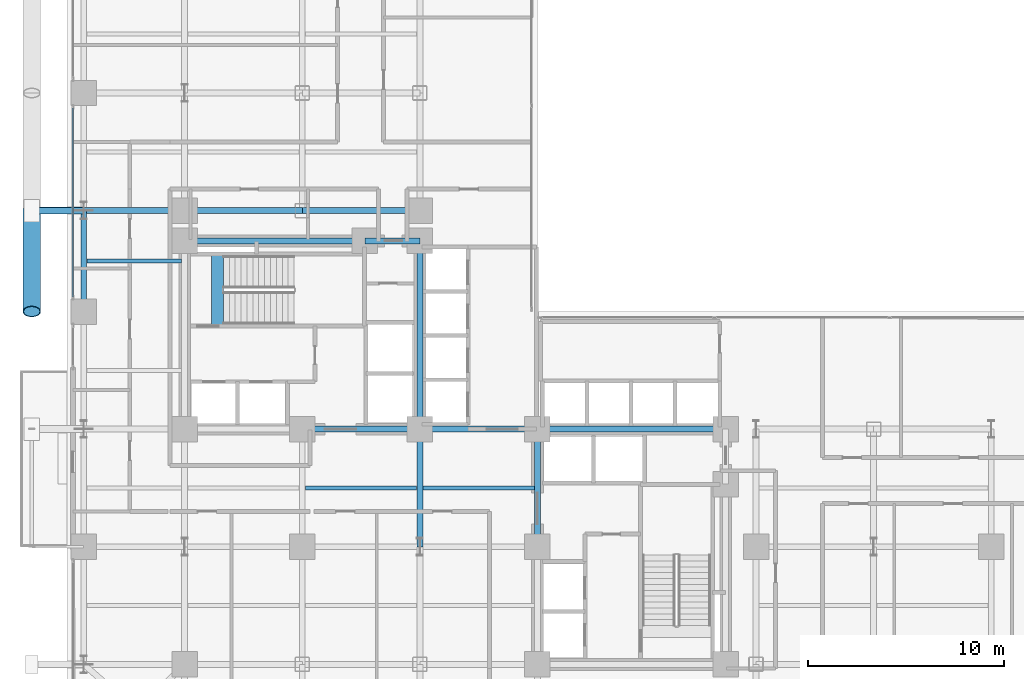
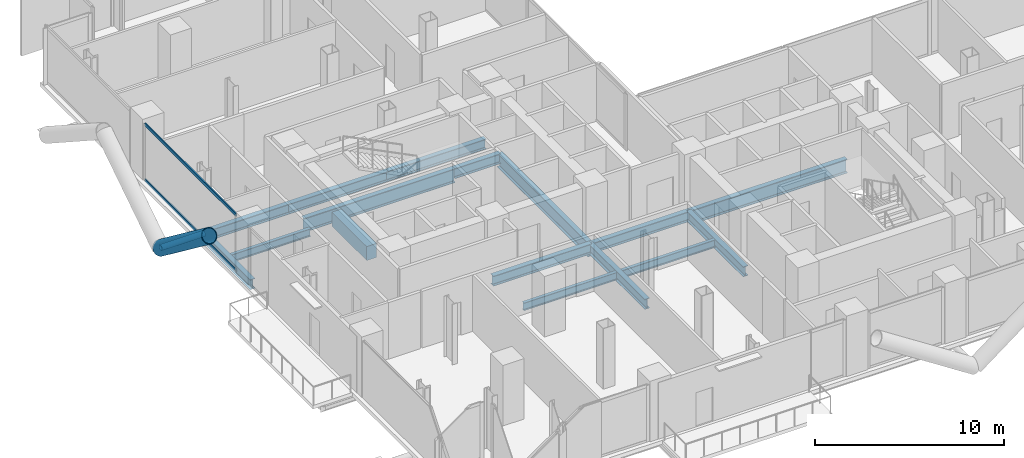
# One storey, part 6 of 25: 16 beams, 4 members, 1 element without a shape of its own.
"""IFC4 building model written with IfcOpenShell, lengths in metres."""

from ifc_helpers import new_model, si_unit, direction, frame, origin, origin_2d, place, context, subcontext, project, spatial, rectangle, hollow_rectangle, hollow_circle, i_section, extrude, material, layer, layer_set, material_profile, profile_set, type_object, element, aggregate, save


model = new_model("IFC4")

# Units and contexts
model_context = context("Model", 3, precision=1e-05, world=origin(), true_north=direction((0.0, 1.0)))
body_context = subcontext(model_context, "Body", "Model", "MODEL_VIEW")
ifc_project = project(units=[si_unit("LENGTHUNIT", "METRE"), si_unit("AREAUNIT", "SQUARE_METRE"), si_unit("VOLUMEUNIT", "CUBIC_METRE"), si_unit("PLANEANGLEUNIT", "RADIAN"), si_unit("MASSUNIT", "GRAM", prefix="KILO"), si_unit("THERMODYNAMICTEMPERATUREUNIT", "KELVIN"), si_unit("POWERUNIT", "WATT")], contexts=[model_context])

# Site, building, storey
site_placement = place(None, origin())
site = spatial("IfcSite", under=ifc_project, at=site_placement, CompositionType="ELEMENT")
building_placement = place(site_placement, origin())
building = spatial("IfcBuilding", under=site, at=building_placement, Name="Svarakhadi Broadcast Tower", CompositionType="ELEMENT")
storey_placement = place(building_placement, frame((0.0, 0.0, 63.60009765625)))
storey = spatial("IfcBuildingStorey", under=building, at=storey_placement, Name="L14", CompositionType="ELEMENT", Elevation=63.60009765625)

# Beams
ifc_material_1 = material(Name="Steel S355J2 (IS 2062 E350C)", Category="steel")
ifc_material_profile_1 = material_profile(ifc_material_1, i_section(OverallWidth=0.199951171875, OverallDepth=0.5, WebThickness=0.01025390625, FlangeThickness=0.01611328125, FilletRadius=0.02099609375, at=origin_2d()), Name="NPB 500x200x91")
ifc_profile_set_1 = profile_set([ifc_material_profile_1], Name="Steel S355J2 (IS 2062 E350C)")
beam_type_1 = type_object("IfcBeamType", Name="Beam_NPB500", PredefinedType="BEAM", material=ifc_profile_set_1)
beam_1_placement = place(storey_placement, frame((1.010009765625, 26.574951171875, -0.5), z_axis=(1.0, 0.0, 0.0), x_axis=(0.0, 1.0, 0.0)))
element("IfcBeam", 1, at=beam_1_placement, inside=storey, type_object=beam_type_1, Name="L14 Secondary Composite Beam SB004", PredefinedType="BEAM", context=body_context, shape_type="SweptSolid", body=[
    extrude(i_section(OverallWidth=0.199951171875, OverallDepth=0.5, WebThickness=0.01025390625, FlangeThickness=0.01611328125, FilletRadius=0.02099609375, at=origin_2d()), origin(), (0.0, 0.0, 1.0), 4.830078125),
])
for number, where, z_axis, x_axis, name in (
    (2, (12.159912109375, 15.0, -0.5), (1.0, 0.0, 0.0), (0.0, 1.0, 0.0), "L14 Secondary Composite Beam SB015"),
    (3, (18.159912109375, 15.0, -0.5), (1.0, 0.0, 0.0), (0.0, 1.0, 0.0), "L14 Secondary Composite Beam SB021"),
):
    element("IfcBeam", number, at=place(storey_placement, frame(where, z_axis=z_axis, x_axis=x_axis)), inside=storey, type_object=beam_type_1, Name=name, PredefinedType="BEAM", context=body_context, shape_type="SweptSolid", body=[
        extrude(i_section(OverallWidth=0.199951171875, OverallDepth=0.5, WebThickness=0.01025390625, FlangeThickness=0.01611328125, FilletRadius=0.02099609375, at=origin_2d()), origin(), (0.0, 0.0, 1.0), 5.68017578125),
    ])

# Curtain wall, members
ifc_material_2 = material(Name="Anodised Bronze Aluminium AA 6063-T6", Category="aluminium")
ifc_layer = layer(ifc_material_2, 0.219970703125)
ifc_layer_set = layer_set([ifc_layer], Name="Anodised Bronze Aluminium AA 6063-T6")
curtain_wall_type = type_object("IfcCurtainWallType", Name="CW_Sys_02", PredefinedType="NOTDEFINED", material=ifc_layer_set)
curtain_wall_placement = place(storey_placement, origin())
curtain_wall = element("IfcCurtainWall", 4, at=curtain_wall_placement, inside=storey, type_object=curtain_wall_type, Name="L14 West Curtain Wall 03 Bay 2", PredefinedType="NOTDEFINED")
ifc_material_profile_2 = material_profile(ifc_material_2, hollow_rectangle(XDim=0.074951171875, YDim=0.199951171875, WallThickness=0.0048828125, at=origin_2d()), Name="ALU TRANSOM 200x75x5")
ifc_profile_set_2 = profile_set([ifc_material_profile_2], Name="Anodised Bronze Aluminium AA 6063-T6")
member_type_1 = type_object("IfcMemberType", Name="CW_Sys_02_Trn", PredefinedType="USERDEFINED", material=ifc_profile_set_2)
member_1_placement = place(storey_placement, frame((0.300048828125, 24.7548828125, 0.037353515625), z_axis=(0.0, 1.0, 0.0), x_axis=(-1.0, 0.0, 0.0)))
member_1 = element("IfcMember", 5, at=member_1_placement, type_object=member_type_1, Name="CW-02 transom 1.1", ObjectType="TRANSOM", PredefinedType="USERDEFINED", context=body_context, shape_type="SweptSolid", body=[
    extrude(hollow_rectangle(XDim=0.074951171875, YDim=0.199951171875, WallThickness=0.0048828125, at=origin_2d()), origin(), (0.0, 0.0, 1.0), 9.64013671875),
])
member_2_placement = place(storey_placement, frame((0.300048828125, 24.7548828125, 3.6123046875), z_axis=(0.0, 1.0, 0.0), x_axis=(-1.0, 0.0, 0.0)))
member_2 = element("IfcMember", 6, at=member_2_placement, type_object=member_type_1, Name="CW-02 transom 1.2", ObjectType="TRANSOM", PredefinedType="USERDEFINED", context=body_context, shape_type="SweptSolid", body=[
    extrude(hollow_rectangle(XDim=0.074951171875, YDim=0.199951171875, WallThickness=0.0048828125, at=origin_2d()), origin(), (0.0, 0.0, 1.0), 9.64013671875),
])
aggregate(curtain_wall, [member_1, member_2])

# Beam
ifc_material_3 = material(Name="Concrete C50/60 (IS 456 M60)", Category="concrete")
ifc_material_profile_3 = material_profile(ifc_material_3, rectangle(XDim=0.60009765625, YDim=0.89990234375, at=origin_2d()), Name="RC 600x900")
ifc_profile_set_3 = profile_set([ifc_material_profile_3], Name="Concrete C50/60 (IS 456 M60)")
beam_type_2 = type_object("IfcBeamType", Name="Coupling_RC600", PredefinedType="USERDEFINED", material=ifc_profile_set_3)
beam_2_placement = place(storey_placement, frame((7.679931640625, 23.260009765625, -0.4501953125), z_axis=(0.0, 1.0, 0.0), x_axis=(-1.0, 0.0, 0.0)))
element("IfcBeam", 7, at=beam_2_placement, inside=storey, type_object=beam_type_2, Name="L14 Stair ST-01 Landing Throat Trimmer Beam CB-01", ObjectType="GIRDER", PredefinedType="USERDEFINED", context=body_context, shape_type="SweptSolid", body=[
    extrude(rectangle(XDim=0.60009765625, YDim=0.89990234375, at=origin_2d()), origin(), (0.0, 0.0, 1.0), 3.679931640625),
])

# Members
ifc_material_4 = material(Name="Steel S460ML (IS 2062 E450BR)", Category="steel")
ifc_material_profile_4 = material_profile(ifc_material_4, hollow_circle(Radius=0.45703125, WallThickness=0.044921875, at=origin_2d()), Name="CHS 914x45")
ifc_profile_set_4 = profile_set([ifc_material_profile_4], Name="Steel S460ML (IS 2062 E450BR)")
member_type_2 = type_object("IfcMemberType", Name="Exo_Brace_CHS914", PredefinedType="BRACE", material=ifc_profile_set_4)
member_3_placement = place(storey_placement, frame((-1.800048828125, 29.14990234375, -0.427978515625), z_axis=(0.0, -0.797188602897, 0.603730346605), x_axis=(1.0, 0.0, 0.0)))
element("IfcMember", 8, at=member_3_placement, inside=storey, type_object=member_type_2, Name="L14 Exposed Bronze Exoskeleton Diagonal W05", PredefinedType="BRACE", context=body_context, shape_type="SweptSolid", body=[
    extrude(hollow_circle(Radius=0.45703125, WallThickness=0.044921875, at=origin_2d()), origin(), (0.0, 0.0, 1.0), 6.4599609375),
])
ifc_material_profile_5 = material_profile(ifc_material_4, hollow_circle(Radius=0.177734375, WallThickness=0.02001953125, at=origin_2d()), Name="CHS 355.6x20")
ifc_profile_set_5 = profile_set([ifc_material_profile_5], Name="Steel S460ML (IS 2062 E450BR)")
member_type_3 = type_object("IfcMemberType", Name="Exo_Radial_Strut_Z1", PredefinedType="STRUT", material=ifc_profile_set_5)
member_4_placement = place(storey_placement, frame((-1.800048828125, 29.14990234375, -0.427978515625), z_axis=(1.0, 0.0, 0.0), x_axis=(0.0, 1.0, 0.0)))
element("IfcMember", 9, at=member_4_placement, inside=storey, type_object=member_type_3, Name="L14 Exoskeleton Radial Tie Strut W07", PredefinedType="STRUT", context=body_context, shape_type="SweptSolid", body=[
    extrude(hollow_circle(Radius=0.177734375, WallThickness=0.02001953125, at=origin_2d()), origin(), (0.0, 0.0, 1.0), 2.650146484375),
])

# Beams
ifc_material_profile_6 = material_profile(ifc_material_1, i_section(OverallWidth=0.300048828125, OverallDepth=0.64990234375, WebThickness=0.01611328125, FlangeThickness=0.031005859375, FilletRadius=0.027099609375, at=origin_2d()), Name="WPB 650x300x225")
ifc_profile_set_6 = profile_set([ifc_material_profile_6], Name="Steel S355J2 (IS 2062 E350C)")
beam_type_3 = type_object("IfcBeamType", Name="Girder_WPB650", PredefinedType="USERDEFINED", material=ifc_profile_set_6)
for number, where, z_axis, x_axis, name in (
    (10, (12.0, 18.0, -0.5751953125), (1.0, 0.0, 0.0), (0.0, 1.0, 0.0), "L14 Primary E-W Girder G027"),
    (11, (18.0, 18.0, -0.5751953125), (1.0, 0.0, 0.0), (0.0, 1.0, 0.0), "L14 Primary E-W Girder G028"),
):
    element("IfcBeam", number, at=place(storey_placement, frame(where, z_axis=z_axis, x_axis=x_axis)), inside=storey, type_object=beam_type_3, Name=name, ObjectType="GIRDER", PredefinedType="USERDEFINED", context=body_context, shape_type="SweptSolid", body=[
        extrude(i_section(OverallWidth=0.300048828125, OverallDepth=0.64990234375, WebThickness=0.01611328125, FlangeThickness=0.031005859375, FilletRadius=0.027099609375, at=origin_2d()), origin(), (0.0, 0.0, 1.0), 6.0),
    ])
beam_3_placement = place(storey_placement, frame((15.199951171875, 27.60009765625, -0.5751953125), z_axis=(1.0, 0.0, 0.0), x_axis=(0.0, 1.0, 0.0)))
element("IfcBeam", 12, at=beam_3_placement, inside=storey, type_object=beam_type_3, Name="L14 Primary E-W Girder G033", ObjectType="GIRDER", PredefinedType="USERDEFINED", context=body_context, shape_type="SweptSolid", body=[
    extrude(i_section(OverallWidth=0.300048828125, OverallDepth=0.64990234375, WebThickness=0.01611328125, FlangeThickness=0.031005859375, FilletRadius=0.027099609375, at=origin_2d()), origin(), (0.0, 0.0, 1.0), 2.800048828125),
])
beam_4_placement = place(storey_placement, frame((0.85009765625, 29.14990234375, -0.5751953125), z_axis=(1.0, 0.0, 0.0), x_axis=(0.0, 1.0, 0.0)))
element("IfcBeam", 13, at=beam_4_placement, inside=storey, type_object=beam_type_3, Name="L14 Primary E-W Girder G034", ObjectType="GIRDER", PredefinedType="USERDEFINED", context=body_context, shape_type="SweptSolid", body=[
    extrude(i_section(OverallWidth=0.300048828125, OverallDepth=0.64990234375, WebThickness=0.01611328125, FlangeThickness=0.031005859375, FilletRadius=0.027099609375, at=origin_2d()), origin(), (0.0, 0.0, 1.0), 5.14990234375),
])
for number, where, z_axis, x_axis, name in (
    (14, (6.0, 29.14990234375, -0.5751953125), (1.0, 0.0, 0.0), (0.0, 1.0, 0.0), "L14 Primary E-W Girder G035"),
    (15, (12.0, 29.14990234375, -0.5751953125), (1.0, 0.0, 0.0), (0.0, 1.0, 0.0), "L14 Primary E-W Girder G036"),
):
    element("IfcBeam", number, at=place(storey_placement, frame(where, z_axis=z_axis, x_axis=x_axis)), inside=storey, type_object=beam_type_3, Name=name, ObjectType="GIRDER", PredefinedType="USERDEFINED", context=body_context, shape_type="SweptSolid", body=[
        extrude(i_section(OverallWidth=0.300048828125, OverallDepth=0.64990234375, WebThickness=0.01611328125, FlangeThickness=0.031005859375, FilletRadius=0.027099609375, at=origin_2d()), origin(), (0.0, 0.0, 1.0), 6.0),
    ])
beam_5_placement = place(storey_placement, frame((0.85009765625, 24.0, -0.5751953125), z_axis=(0.0, 1.0, 0.0), x_axis=(-1.0, 0.0, 0.0)))
element("IfcBeam", 16, at=beam_5_placement, inside=storey, type_object=beam_type_3, Name="L14 Primary N-S Girder G048", ObjectType="GIRDER", PredefinedType="USERDEFINED", context=body_context, shape_type="SweptSolid", body=[
    extrude(i_section(OverallWidth=0.300048828125, OverallDepth=0.64990234375, WebThickness=0.01611328125, FlangeThickness=0.031005859375, FilletRadius=0.027099609375, at=origin_2d()), origin(), (0.0, 0.0, 1.0), 5.14990234375),
])
for number, where, z_axis, x_axis, name in (
    (17, (18.0, 12.0, -0.5751953125), (0.0, 1.0, 0.0), (-1.0, 0.0, 0.0), "L14 Primary N-S Girder G066"),
    (18, (24.0, 12.0, -0.5751953125), (0.0, 1.0, 0.0), (-1.0, 0.0, 0.0), "L14 Primary N-S Girder G073"),
):
    element("IfcBeam", number, at=place(storey_placement, frame(where, z_axis=z_axis, x_axis=x_axis)), inside=storey, type_object=beam_type_3, Name=name, ObjectType="GIRDER", PredefinedType="USERDEFINED", context=body_context, shape_type="SweptSolid", body=[
        extrude(i_section(OverallWidth=0.300048828125, OverallDepth=0.64990234375, WebThickness=0.01611328125, FlangeThickness=0.031005859375, FilletRadius=0.027099609375, at=origin_2d()), origin(), (0.0, 0.0, 1.0), 6.0),
    ])
ifc_material_profile_7 = material_profile(ifc_material_4, i_section(OverallWidth=0.300048828125, OverallDepth=0.89990234375, WebThickness=0.0185546875, FlangeThickness=0.034912109375, FilletRadius=0.030029296875, at=origin_2d()), Name="WPB 900x300x291")
ifc_profile_set_7 = profile_set([ifc_material_profile_7], Name="Steel S460ML (IS 2062 E450BR)")
beam_type_4 = type_object("IfcBeamType", Name="Girder_WPB900", PredefinedType="USERDEFINED", material=ifc_profile_set_7)
beam_6_placement = place(storey_placement, frame((24.0, 18.0, -0.7001953125), z_axis=(1.0, 0.0, 0.0), x_axis=(0.0, 1.0, 0.0)))
element("IfcBeam", 19, at=beam_6_placement, inside=storey, type_object=beam_type_4, Name="L14 Primary E-W Girder G029", ObjectType="GIRDER", PredefinedType="USERDEFINED", context=body_context, shape_type="SweptSolid", body=[
    extrude(i_section(OverallWidth=0.300048828125, OverallDepth=0.89990234375, WebThickness=0.0185546875, FlangeThickness=0.034912109375, FilletRadius=0.030029296875, at=origin_2d()), origin(), (0.0, 0.0, 1.0), 9.60009765625),
])
beam_7_placement = place(storey_placement, frame((6.0, 27.60009765625, -0.7001953125), z_axis=(1.0, 0.0, 0.0), x_axis=(0.0, 1.0, 0.0)))
element("IfcBeam", 20, at=beam_7_placement, inside=storey, type_object=beam_type_4, Name="L14 Primary E-W Girder G032", ObjectType="GIRDER", PredefinedType="USERDEFINED", context=body_context, shape_type="SweptSolid", body=[
    extrude(i_section(OverallWidth=0.300048828125, OverallDepth=0.89990234375, WebThickness=0.0185546875, FlangeThickness=0.034912109375, FilletRadius=0.030029296875, at=origin_2d()), origin(), (0.0, 0.0, 1.0), 9.199951171875),
])
beam_8_placement = place(storey_placement, frame((18.0, 18.0, -0.7001953125), z_axis=(0.0, 1.0, 0.0), x_axis=(-1.0, 0.0, 0.0)))
element("IfcBeam", 21, at=beam_8_placement, inside=storey, type_object=beam_type_4, Name="L14 Primary N-S Girder G067", ObjectType="GIRDER", PredefinedType="USERDEFINED", context=body_context, shape_type="SweptSolid", body=[
    extrude(i_section(OverallWidth=0.300048828125, OverallDepth=0.89990234375, WebThickness=0.0185546875, FlangeThickness=0.034912109375, FilletRadius=0.030029296875, at=origin_2d()), origin(), (0.0, 0.0, 1.0), 9.60009765625),
])

save(model, "model.ifc")
